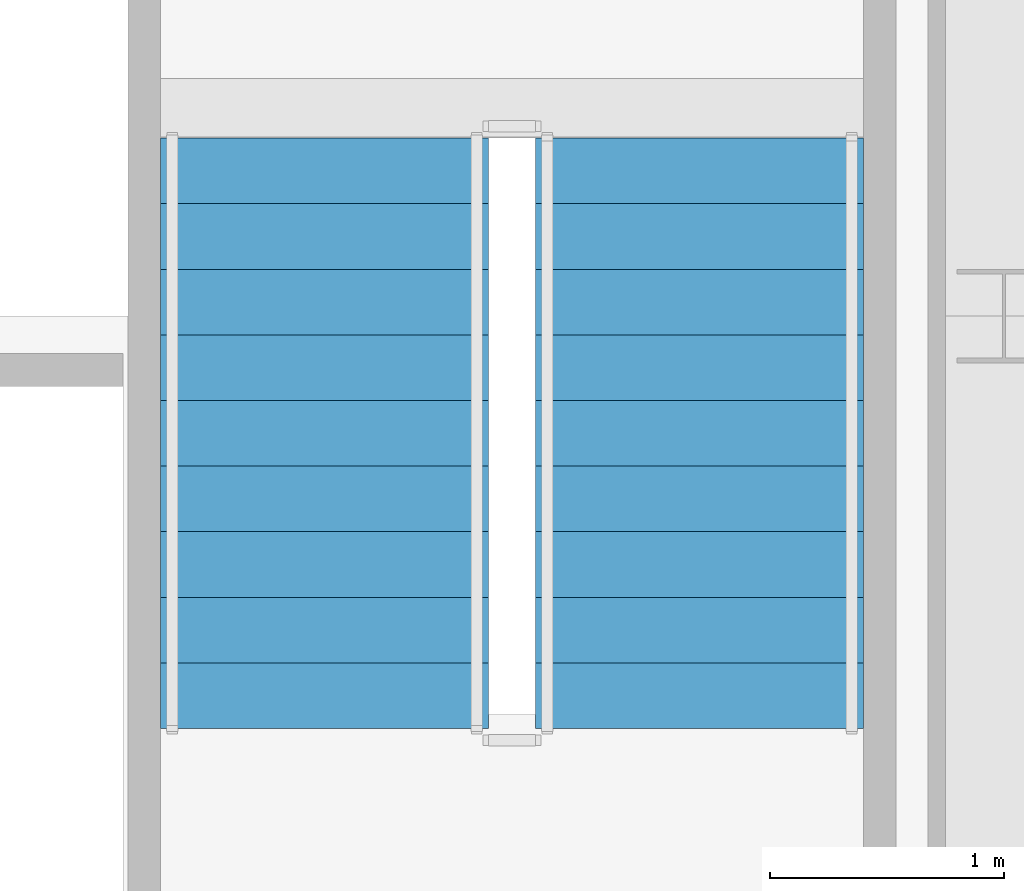
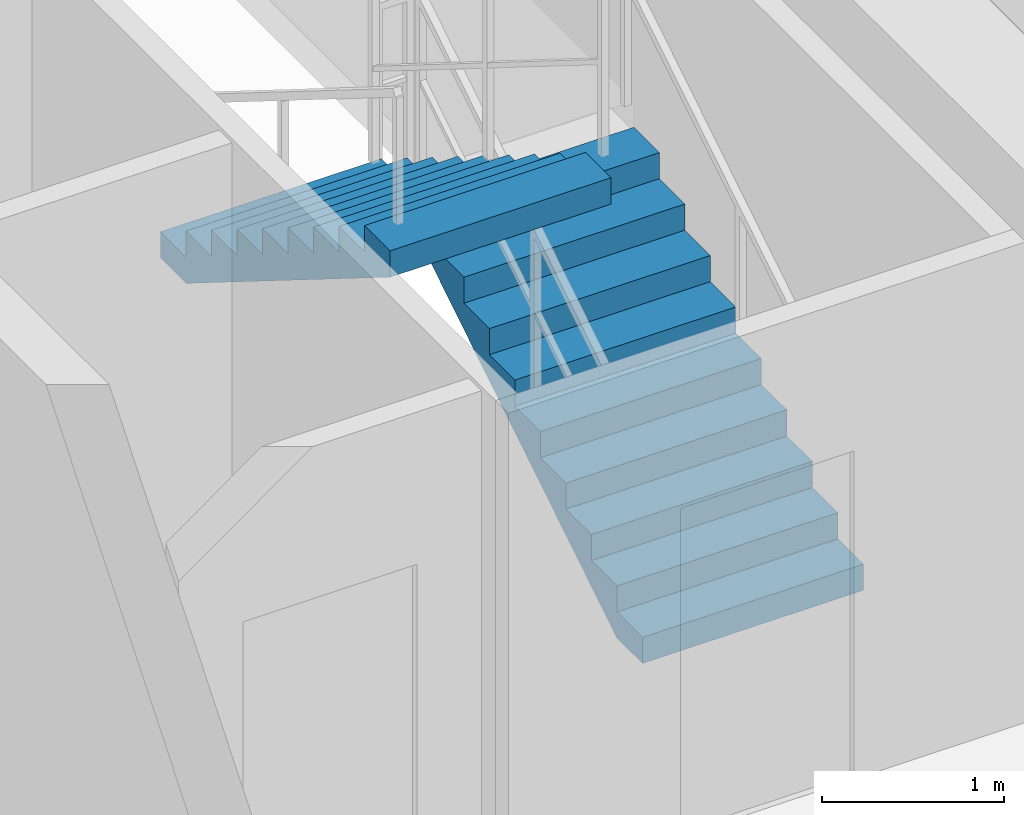
# One storey, part 38 of 39: 2 stair flights, 1 element without a shape of its own.
"""IFC4 building model written with IfcOpenShell, lengths in metres."""

from ifc_helpers import new_model, si_unit, direction, frame, origin, place, context, subcontext, project, spatial, polyline, outline, extrude, source, transform, mapped, material, type_object, element, aggregate, save


model = new_model("IFC4")

# Units and contexts
model_context = context("Model", 3, precision=1e-05, world=origin(), true_north=direction((0.0, 1.0)))
body_context = subcontext(model_context, "Body", "Model", "MODEL_VIEW")
ifc_project = project(units=[si_unit("LENGTHUNIT", "METRE"), si_unit("AREAUNIT", "SQUARE_METRE"), si_unit("VOLUMEUNIT", "CUBIC_METRE"), si_unit("PLANEANGLEUNIT", "RADIAN"), si_unit("MASSUNIT", "GRAM", prefix="KILO"), si_unit("THERMODYNAMICTEMPERATUREUNIT", "KELVIN"), si_unit("POWERUNIT", "WATT")], contexts=[model_context])

# Site, building, storey
site_placement = place(None, origin())
site = spatial("IfcSite", under=ifc_project, at=site_placement, CompositionType="ELEMENT")
building_placement = place(site_placement, origin())
building = spatial("IfcBuilding", under=site, at=building_placement, Name="Yuzanri Waterfront Tower", CompositionType="ELEMENT")
storey_placement = place(building_placement, frame((0.0, 0.0, 216.0)))
storey = spatial("IfcBuildingStorey", under=building, at=storey_placement, Name="L57", CompositionType="ELEMENT", Elevation=216.0)

# Stair, stair flights
ifc_material_1 = material(Name="Concrete C40", Category="concrete")
stair_type = type_object("IfcStairType", Name="Concrete C40 Core Dogleg Exit Stair", PredefinedType="HALF_TURN_STAIR", material=ifc_material_1)
stair_placement = place(storey_placement, origin())
stair = element("IfcStair", 1, at=stair_placement, inside=storey, type_object=stair_type, Name="L57 Smoke-Proof Core Stair ST-02", PredefinedType="HALF_TURN_STAIR")
ifc_material_2 = material(Name="Concrete C40", Category="concrete")
stair_flight_type = type_object("IfcStairFlightType", Name="Concrete C40 Precast Stair Flight 1380", PredefinedType="STRAIGHT", material=ifc_material_2)
shared_shape = source(origin(), body_context, "Body", "SweptSolid", [
    extrude(outline(polyline([(0.0, 0.0), (0.0, 0.175048828125), (0.280029296875, 0.175048828125), (0.280029296875, 0.35009765625), (0.56005859375, 0.35009765625), (0.56005859375, 0.52490234375), (0.840087890625, 0.52490234375), (0.840087890625, 0.699951171875), (1.1201171875, 0.699951171875), (1.1201171875, 0.875), (1.39990234375, 0.875), (1.39990234375, 1.050048828125), (1.679931640625, 1.050048828125), (1.679931640625, 1.22509765625), (1.9599609375, 1.22509765625), (1.9599609375, 1.39990234375), (2.239990234375, 1.39990234375), (2.239990234375, 1.574951171875), (2.52001953125, 1.574951171875), (2.52001953125, 1.75), (2.52001953125, 1.398193359375), (0.28271484375, 0.0), (0.0, 0.0)])), frame((0.0, 0.699951171875, 0.0), z_axis=(0.0, -1.0, 0.0), x_axis=(1.0, 0.0, 0.0)), (0.0, 0.0, 1.0), 1.39990234375),
])
stair_flight_1_placement = place(storey_placement, frame((48.89990234375, 24.0400390625, 0.0), z_axis=(0.0, 0.0, 1.0), x_axis=(0.0, 1.0, 0.0)))
stair_flight_1 = element("IfcStairFlight", 2, at=stair_flight_1_placement, type_object=stair_flight_type, Name="ST-02 flight 1", NumberOfRisers=10, NumberOfTreads=9, PredefinedType="STRAIGHT", RiserHeight=0.175, TreadLength=0.28, context=body_context, shape_type="MappedRepresentation", body=[
    mapped(shared_shape, transform((0.0, 0.0, 0.0), scale=1.0)),
])
stair_flight_2_placement = place(storey_placement, frame((47.300048828125, 26.56005859375, 1.75), z_axis=(0.0, 0.0, 1.0), x_axis=(0.0, -1.0, 0.0)))
stair_flight_2 = element("IfcStairFlight", 3, at=stair_flight_2_placement, type_object=stair_flight_type, Name="ST-02 flight 2", NumberOfRisers=10, NumberOfTreads=9, PredefinedType="STRAIGHT", RiserHeight=0.175, TreadLength=0.28, context=body_context, shape_type="MappedRepresentation", body=[
    mapped(shared_shape, transform((0.0, 0.0, 0.0), scale=1.0)),
])
aggregate(stair, [stair_flight_1, stair_flight_2])

save(model, "model.ifc")
